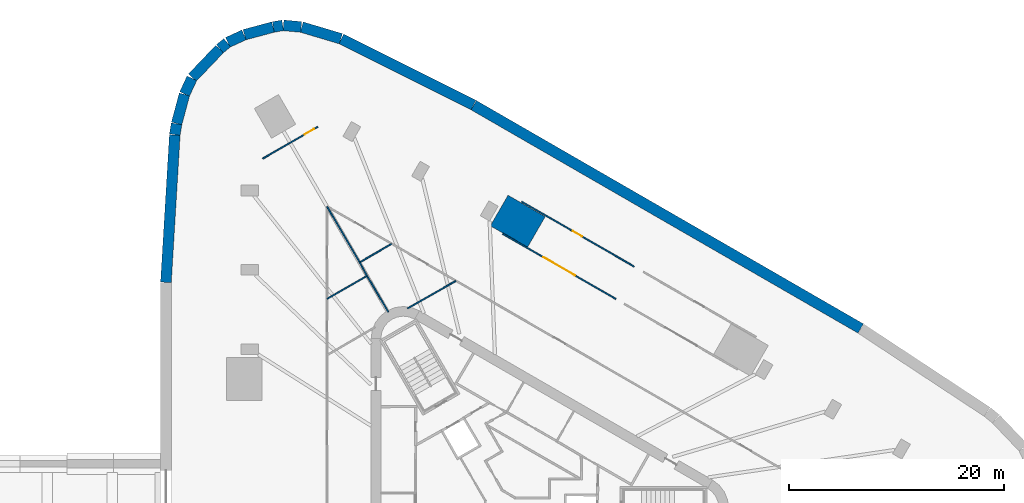
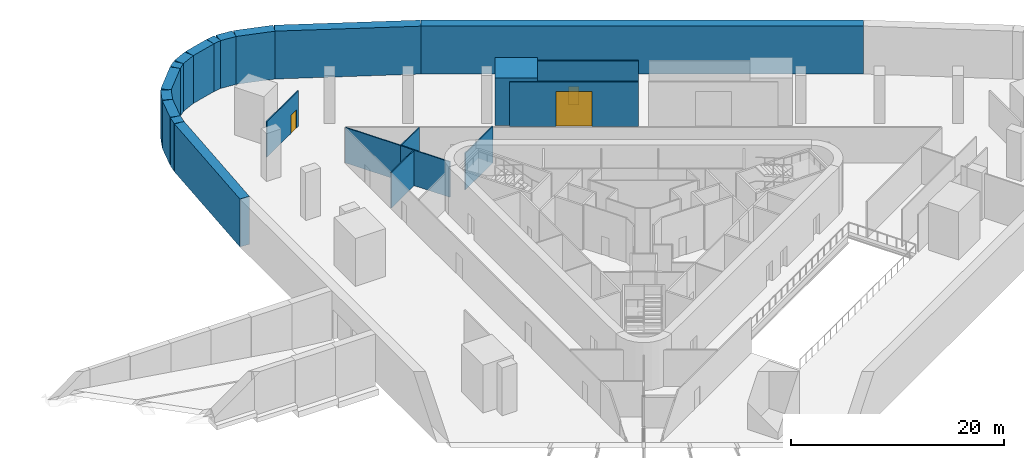
# One storey, part 10 of 13: 23 walls, 3 doors, 3 openings.
"""IFC4 building model written with IfcOpenShell, lengths in metres."""

from ifc_helpers import new_model, si_unit, direction, frame, frame_2d, origin, place, context, subcontext, project, spatial, polyline, rectangle, outline, extrude, material, layer, layer_set, type_object, element, fill, save


model = new_model("IFC4")

# Units and contexts
model_context = context("Model", 3, precision=1e-05, world=origin(), true_north=direction((0.0, 1.0)))
body_context = subcontext(model_context, "Body", "Model", "MODEL_VIEW")
ifc_project = project(units=[si_unit("LENGTHUNIT", "METRE"), si_unit("AREAUNIT", "SQUARE_METRE"), si_unit("VOLUMEUNIT", "CUBIC_METRE"), si_unit("PLANEANGLEUNIT", "RADIAN"), si_unit("MASSUNIT", "GRAM", prefix="KILO")], contexts=[model_context])

# Site, building, storey
site_placement = place(None, origin())
site = spatial("IfcSite", under=ifc_project, at=site_placement, CompositionType="ELEMENT")
building_placement = place(site_placement, origin())
building = spatial("IfcBuilding", under=site, at=building_placement, Name="Tanit Gate Tower", CompositionType="ELEMENT")
storey_placement = place(building_placement, frame((0.0, 0.0, -5.5)))
storey = spatial("IfcBuildingStorey", under=building, at=storey_placement, Name="B1", CompositionType="ELEMENT", Elevation=-5.5)

# Walls
ifc_material_1 = material(Name="Concrete C35/45", Category="concrete")
ifc_layer_1 = layer(ifc_material_1, 1.0)
ifc_layer_set_1 = layer_set([ifc_layer_1], Name="DIAPHRAGM WALL 1000 C35/45")
wall_type_1 = type_object("IfcWallType", Name="DIAPHRAGM WALL 1000 C35/45", PredefinedType="SHEAR", material=ifc_layer_set_1)
wall_1_placement = place(storey_placement, frame((-31.219482421875, 21.010498046875, 0.0), z_axis=(0.0, 0.0, 1.0), x_axis=(0.059807057285, 0.99820995582, 0.0)))
element("IfcWall", 1, at=wall_1_placement, inside=storey, type_object=wall_type_1, Name="DIAPHRAGM WALL", PredefinedType="SHEAR", context=body_context, shape_type="SweptSolid", body=[
    extrude(rectangle(XDim=13.7568359375, YDim=1.0, at=frame_2d((6.87841796875, 0.0))), origin(), (0.0, 0.0, 1.0), 5.5),
])
wall_2_placement = place(storey_placement, frame((-30.393798828125, 34.767578125, 0.0), z_axis=(0.0, 0.0, 1.0), x_axis=(0.160027584178, 0.987112542876, 0.0)))
element("IfcWall", 2, at=wall_2_placement, inside=storey, type_object=wall_type_1, Name="DIAPHRAGM WALL", PredefinedType="SHEAR", context=body_context, shape_type="SweptSolid", body=[
    extrude(rectangle(XDim=1.032958984375, YDim=1.0, at=frame_2d((0.5166015625, 0.0))), origin(), (0.0, 0.0, 1.0), 5.5),
])
wall_3_placement = place(storey_placement, frame((-30.22314453125, 35.81201171875, 0.0), z_axis=(0.0, 0.0, 1.0), x_axis=(0.259383858959, 0.965774307854, 0.0)))
element("IfcWall", 3, at=wall_3_placement, inside=storey, type_object=wall_type_1, Name="DIAPHRAGM WALL", PredefinedType="SHEAR", context=body_context, shape_type="SweptSolid", body=[
    extrude(rectangle(XDim=2.806640625, YDim=1.0, at=frame_2d((1.4033203125, 0.0))), origin(), (0.0, 0.0, 1.0), 5.5),
])
wall_4_placement = place(storey_placement, frame((-29.480224609375, 38.563232421875, 0.0), z_axis=(0.0, 0.0, 1.0), x_axis=(0.421832105884, 0.906673962594, 0.0)))
element("IfcWall", 4, at=wall_4_placement, inside=storey, type_object=wall_type_1, Name="DIAPHRAGM WALL", PredefinedType="SHEAR", context=body_context, shape_type="SweptSolid", body=[
    extrude(rectangle(XDim=1.61181640625, YDim=1.0, at=frame_2d((0.805908203125, 0.0))), origin(), (0.0, 0.0, 1.0), 5.5),
])
wall_5_placement = place(storey_placement, frame((-28.75439453125, 40.091796875, 0.0), z_axis=(0.0, 0.0, 1.0), x_axis=(0.69046784388, 0.723363087645, 0.0)))
element("IfcWall", 5, at=wall_5_placement, inside=storey, type_object=wall_type_1, Name="DIAPHRAGM WALL", PredefinedType="SHEAR", context=body_context, shape_type="SweptSolid", body=[
    extrude(rectangle(XDim=3.673828125, YDim=1.0, at=frame_2d((1.8369140625, 0.0))), origin(), (0.0, 0.0, 1.0), 5.5),
])
wall_6_placement = place(storey_placement, frame((-26.1962890625, 42.76904296875, 0.0), z_axis=(0.0, 0.0, 1.0), x_axis=(0.769573205415, 0.638558596768, 0.0)))
element("IfcWall", 6, at=wall_6_placement, inside=storey, type_object=wall_type_1, Name="DIAPHRAGM WALL", PredefinedType="SHEAR", context=body_context, shape_type="SweptSolid", body=[
    extrude(rectangle(XDim=0.886962890625, YDim=1.0, at=frame_2d((0.443359375, 0.0))), origin(), (0.0, 0.0, 1.0), 5.5),
])
wall_7_placement = place(storey_placement, frame((-25.458740234375, 43.3701171875, 0.0), z_axis=(0.0, 0.0, 1.0), x_axis=(0.908019521695, 0.418927855628, 0.0)))
element("IfcWall", 7, at=wall_7_placement, inside=storey, type_object=wall_type_1, Name="DIAPHRAGM WALL", PredefinedType="SHEAR", context=body_context, shape_type="SweptSolid", body=[
    extrude(rectangle(XDim=1.663330078125, YDim=1.0, at=frame_2d((0.83154296875, 0.0))), origin(), (0.0, 0.0, 1.0), 5.5),
])
wall_8_placement = place(storey_placement, frame((-23.908447265625, 44.081298828125, 0.0), z_axis=(0.0, 0.0, 1.0), x_axis=(0.965914968132, 0.258859564898, 0.0)))
element("IfcWall", 8, at=wall_8_placement, inside=storey, type_object=wall_type_1, Name="DIAPHRAGM WALL", PredefinedType="SHEAR", context=body_context, shape_type="SweptSolid", body=[
    extrude(rectangle(XDim=2.76708984375, YDim=1.0, at=frame_2d((1.383544921875, 0.0))), origin(), (0.0, 0.0, 1.0), 5.5),
])
wall_9_placement = place(storey_placement, frame((-21.212890625, 44.802490234375, 0.0), z_axis=(0.0, 0.0, 1.0), x_axis=(0.985764157253, 0.168133953366, 0.0)))
element("IfcWall", 9, at=wall_9_placement, inside=storey, type_object=wall_type_1, Name="DIAPHRAGM WALL", PredefinedType="SHEAR", context=body_context, shape_type="SweptSolid", body=[
    extrude(rectangle(XDim=0.89013671875, YDim=1.0, at=frame_2d((0.445068359375, 0.0))), origin(), (0.0, 0.0, 1.0), 5.5),
])
wall_10_placement = place(storey_placement, frame((-20.270751953125, 44.95458984375, 0.0), z_axis=(0.0, 0.0, 1.0), x_axis=(0.995846049361, -0.091052984425, 0.0)))
element("IfcWall", 10, at=wall_10_placement, inside=storey, type_object=wall_type_1, Name="DIAPHRAGM WALL", PredefinedType="SHEAR", context=body_context, shape_type="SweptSolid", body=[
    extrude(rectangle(XDim=1.65966796875, YDim=1.0, at=frame_2d((0.829833984375, 0.0))), origin(), (0.0, 0.0, 1.0), 5.5),
])
wall_11_placement = place(storey_placement, frame((-18.5693359375, 44.7939453125, 0.0), z_axis=(0.0, 0.0, 1.0), x_axis=(0.958375229974, -0.285511678523, 0.0)))
element("IfcWall", 11, at=wall_11_placement, inside=storey, type_object=wall_type_1, Name="DIAPHRAGM WALL", PredefinedType="SHEAR", context=body_context, shape_type="SweptSolid", body=[
    extrude(rectangle(XDim=3.806884765625, YDim=1.0, at=frame_2d((1.9033203125, 0.0))), origin(), (0.0, 0.0, 1.0), 5.5),
])
wall_12_placement = place(storey_placement, frame((-14.880615234375, 43.691162109375, 0.0), z_axis=(0.0, 0.0, 1.0), x_axis=(0.894257014389, -0.447553786954, 0.0)))
element("IfcWall", 12, at=wall_12_placement, inside=storey, type_object=wall_type_1, Name="DIAPHRAGM WALL", PredefinedType="SHEAR", context=body_context, shape_type="SweptSolid", body=[
    extrude(rectangle(XDim=13.777587890625, YDim=1.0, at=frame_2d((6.888671875, 0.0))), origin(), (0.0, 0.0, 1.0), 5.5),
])
wall_13_placement = place(storey_placement, frame((-2.546875, 37.51806640625, 0.0), z_axis=(0.0, 0.0, 1.0), x_axis=(0.866165180358, -0.499757821684, 0.0)))
element("IfcWall", 13, at=wall_13_placement, inside=storey, type_object=wall_type_1, Name="DIAPHRAGM WALL", PredefinedType="SHEAR", context=body_context, shape_type="SweptSolid", body=[
    extrude(rectangle(XDim=41.631103515625, YDim=1.0, at=frame_2d((20.8154296875, 0.0))), origin(), (0.0, 0.0, 1.0), 5.5),
])

# Wall, opening, door
ifc_material_2 = material(Name="Gypsum board partition")
ifc_layer_2 = layer(ifc_material_2, 0.1201171875)
ifc_layer_set_2 = layer_set([ifc_layer_2], Name="INT-WALL-PARTITION")
wall_type_2 = type_object("IfcWallType", Name="INT-WALL-PARTITION", PredefinedType="PARTITIONING", material=ifc_layer_set_2)
wall_14_placement = place(storey_placement, frame((-17.081298828125, 35.49609375, 0.0), z_axis=(0.0, 0.0, 1.0), x_axis=(-0.866020498397, -0.500008496284, 0.0)))
wall_14 = element("IfcWall", 14, at=wall_14_placement, inside=storey, type_object=wall_type_2, Name="Wall Partition W099", PredefinedType="PARTITIONING", context=body_context, shape_type="SweptSolid", body=[
    extrude(rectangle(XDim=5.91064453125, YDim=0.1201171875, at=frame_2d((2.955322265625, 0.0))), origin(), (0.0, 0.0, 1.0), 4.070068359375),
])
opening_1_placement = place(wall_14_placement, frame((0.38330078125, 0.0, 0.0)))
opening_1 = element("IfcOpeningElement", 15, at=opening_1_placement, cuts=wall_14, Name="Opening D10-B1-37", PredefinedType="OPENING", context=body_context, shape_type="SweptSolid", body=[
    extrude(rectangle(XDim=1.0, YDim=2.10009765625, at=frame_2d((0.5, 1.050048828125))), frame((0.0, 0.070068359375, 0.0), z_axis=(0.0, -1.0, 0.0), x_axis=(1.0, 0.0, 0.0)), (0.0, 0.0, 1.0), 0.14013671875),
])
ifc_material_3 = material(Name="Timber door leaf", Category="wood")
door_type_1 = type_object("IfcDoorType", Name="INT-DOOR-SINGLE-1000", OperationType="NOTDEFINED", PredefinedType="NOTDEFINED", material=ifc_material_3)
door_1_placement = place(opening_1_placement, origin())
door_1 = element("IfcDoor", 16, at=door_1_placement, inside=storey, type_object=door_type_1, Name="Door D10-B1-37", OperationType="SINGLE_SWING_RIGHT", OverallHeight=2.10009765625, OverallWidth=1.0, PredefinedType="NOTDEFINED", context=body_context, shape_type="SweptSolid", body=[
    extrude(rectangle(XDim=1.0, YDim=2.10009765625, at=frame_2d((0.5, 1.050048828125))), frame((0.0, 0.02490234375, 0.0), z_axis=(0.0, -1.0, 0.0), x_axis=(1.0, 0.0, 0.0)), (0.0, 0.0, 1.0), 0.050048828125),
])
fill(opening_1, door_1)

wall_15_placement = place(storey_placement, frame((10.69287109375, 19.460693359375, 0.0), z_axis=(0.0, 0.0, 1.0), x_axis=(-0.866020417952, 0.500008635616, 0.0)))
wall_15 = element("IfcWall", 17, at=wall_15_placement, inside=storey, type_object=wall_type_2, Name="Wall Partition W103", PredefinedType="PARTITIONING", context=body_context, shape_type="SweptSolid", body=[
    extrude(rectangle(XDim=12.159912109375, YDim=0.1201171875, at=frame_2d((6.080078125, 0.0))), origin(), (0.0, 0.0, 1.0), 5.10009765625),
])
opening_2_placement = place(wall_15_placement, frame((4.3798828125, 0.0, 0.0)))
opening_2 = element("IfcOpeningElement", 18, at=opening_2_placement, cuts=wall_15, Name="Opening SH-B1-42", PredefinedType="OPENING", context=body_context, shape_type="SweptSolid", body=[
    extrude(rectangle(XDim=3.39990234375, YDim=4.0, at=frame_2d((1.699951171875, 2.0))), frame((0.0, 0.070068359375, 0.0), z_axis=(0.0, -1.0, 0.0), x_axis=(1.0, 0.0, 0.0)), (0.0, 0.0, 1.0), 0.14013671875),
])
ifc_material_4 = material(Name="Timber door leaf", Category="wood")
door_type_2 = type_object("IfcDoorType", Name="INT-DOOR-SHUTTER-3400", OperationType="NOTDEFINED", PredefinedType="NOTDEFINED", material=ifc_material_4)
door_2_placement = place(opening_2_placement, origin())
door_2 = element("IfcDoor", 19, at=door_2_placement, inside=storey, type_object=door_type_2, Name="Door SH-B1-42", OperationType="SINGLE_SWING_RIGHT", OverallHeight=4.0, OverallWidth=3.39990234375, PredefinedType="NOTDEFINED", context=body_context, shape_type="SweptSolid", body=[
    extrude(rectangle(XDim=3.39990234375, YDim=4.0, at=frame_2d((1.699951171875, 2.0))), frame((0.0, 0.02490234375, 0.0), z_axis=(0.0, -1.0, 0.0), x_axis=(1.0, 0.0, 0.0)), (0.0, 0.0, 1.0), 0.050048828125),
])
fill(opening_2, door_2)

# Walls
wall_16_placement = place(storey_placement, frame((-4.22021484375, 21.142822265625, 0.0), z_axis=(0.0, 0.0, 1.0), x_axis=(-0.868530929613, -0.495634970825, 0.0)))
element("IfcWall", 20, at=wall_16_placement, inside=storey, type_object=wall_type_2, Name="Wall Partition W104", PredefinedType="PARTITIONING", context=body_context, shape_type="SweptSolid", body=[
    extrude(rectangle(XDim=5.165771484375, YDim=0.1201171875, at=frame_2d((2.5830078125, 0.0))), origin(), (0.0, 0.0, 1.0), 4.179931640625),
])
wall_17_placement = place(storey_placement, frame((-10.197265625, 24.593505859375, 0.0), z_axis=(0.0, 0.0, 1.0), x_axis=(-0.865437539194, -0.501016831807, 0.0)))
element("IfcWall", 21, at=wall_17_placement, inside=storey, type_object=wall_type_2, Name="Wall Partition W110", PredefinedType="PARTITIONING", context=body_context, shape_type="SweptSolid", body=[
    extrude(rectangle(XDim=3.465576171875, YDim=0.1201171875, at=frame_2d((1.73291015625, 0.0))), origin(), (0.0, 0.0, 1.0), 4.070068359375),
])
wall_18_placement = place(storey_placement, frame((-12.47900390625, 21.614990234375, 0.0), z_axis=(0.0, 0.0, 1.0), x_axis=(0.506545569598, -0.862213190528, 0.0)))
element("IfcWall", 22, at=wall_18_placement, inside=storey, type_object=wall_type_2, Name="Wall Partition W111", PredefinedType="PARTITIONING", context=body_context, shape_type="SweptSolid", body=[
    extrude(rectangle(XDim=3.91259765625, YDim=0.1201171875, at=frame_2d((1.956298828125, 0.0))), origin(), (0.0, 0.0, 1.0), 4.070068359375),
])
wall_19_placement = place(storey_placement, frame((-13.185546875, 22.898193359375, 0.0), z_axis=(0.0, 0.0, 1.0), x_axis=(0.482129852101, -0.876099769269, 0.0)))
element("IfcWall", 23, at=wall_19_placement, inside=storey, type_object=wall_type_2, Name="Wall Partition W112", PredefinedType="PARTITIONING", context=body_context, shape_type="SweptSolid", body=[
    extrude(rectangle(XDim=1.46484375, YDim=0.1201171875, at=frame_2d((0.732421875, 0.0))), origin(), (0.0, 0.0, 1.0), 4.070068359375),
])
wall_20_placement = place(storey_placement, frame((-13.185546875, 22.898193359375, 0.0), z_axis=(0.0, 0.0, 1.0), x_axis=(-0.504338258722, 0.863506178779, 0.0)))
element("IfcWall", 24, at=wall_20_placement, inside=storey, type_object=wall_type_2, Name="Wall Partition W113", PredefinedType="PARTITIONING", context=body_context, shape_type="SweptSolid", body=[
    extrude(rectangle(XDim=5.97705078125, YDim=0.1201171875, at=frame_2d((2.988525390625, 0.0))), origin(), (0.0, 0.0, 1.0), 4.070068359375),
])
wall_21_placement = place(storey_placement, frame((-12.53125, 21.5849609375, 0.0), z_axis=(0.0, 0.0, 1.0), x_axis=(-0.866495491634, -0.499184898588, 0.0)))
element("IfcWall", 25, at=wall_21_placement, inside=storey, type_object=wall_type_2, Name="Wall Partition W114", PredefinedType="PARTITIONING", context=body_context, shape_type="SweptSolid", body=[
    extrude(rectangle(XDim=4.23388671875, YDim=0.1201171875, at=frame_2d((2.116943359375, 0.0))), origin(), (0.0, 0.0, 1.0), 4.070068359375),
])

# Wall, opening, door
wall_22_placement = place(storey_placement, frame((1.923095703125, 28.53076171875, 0.0), z_axis=(0.0, 0.0, 1.0), x_axis=(0.866034387366, -0.499984439657, 0.0)))
wall_22 = element("IfcWall", 26, at=wall_22_placement, inside=storey, type_object=wall_type_2, Name="Wall Partition W121", PredefinedType="PARTITIONING", context=body_context, shape_type="SweptSolid", body=[
    extrude(rectangle(XDim=12.10009765625, YDim=0.1201171875, at=frame_2d((6.050048828125, 0.0))), origin(), (0.0, 0.0, 1.0), 5.10009765625),
])
opening_3_placement = place(wall_22_placement, frame((5.5, 0.0, 0.0)))
opening_3 = element("IfcOpeningElement", 27, at=opening_3_placement, cuts=wall_22, Name="Opening D10-B1-43", PredefinedType="OPENING", context=body_context, shape_type="SweptSolid", body=[
    extrude(rectangle(XDim=1.0, YDim=2.10009765625, at=frame_2d((0.5, 1.050048828125))), frame((0.0, 0.070068359375, 0.0), z_axis=(0.0, -1.0, 0.0), x_axis=(1.0, 0.0, 0.0)), (0.0, 0.0, 1.0), 0.14013671875),
])
door_3_placement = place(opening_3_placement, origin())
door_3 = element("IfcDoor", 28, at=door_3_placement, inside=storey, type_object=door_type_1, Name="Door D10-B1-43", OperationType="SINGLE_SWING_RIGHT", OverallHeight=2.10009765625, OverallWidth=1.0, PredefinedType="NOTDEFINED", context=body_context, shape_type="SweptSolid", body=[
    extrude(rectangle(XDim=1.0, YDim=2.10009765625, at=frame_2d((0.5, 1.050048828125))), frame((0.0, 0.02490234375, 0.0), z_axis=(0.0, -1.0, 0.0), x_axis=(1.0, 0.0, 0.0)), (0.0, 0.0, 1.0), 0.050048828125),
])
fill(opening_3, door_3)

# Wall
ifc_material_5 = material(Name="Concrete C60/75", Category="concrete")
ifc_layer_3 = layer(ifc_material_5, 4.0)
ifc_layer_set_3 = layer_set([ifc_layer_3], Name="PIER WALL 4000 C60/75")
wall_type_3 = type_object("IfcWallType", Name="PIER WALL 4000 C60/75", PredefinedType="SHEAR", material=ifc_layer_set_3)
wall_23_placement = place(storey_placement, origin())
element("IfcWall", 29, at=wall_23_placement, inside=storey, type_object=wall_type_3, Name="PIER WALL", PredefinedType="SHEAR", context=body_context, shape_type="SweptSolid", body=[
    extrude(outline(polyline([(4.116455078125, 27.1298828125), (0.65234375, 29.1298828125), (-0.99755859375, 26.27197265625), (2.466552734375, 24.27197265625), (4.116455078125, 27.1298828125)])), origin(), (0.0, 0.0, 1.0), 5.5),
])

save(model, "model.ifc")
